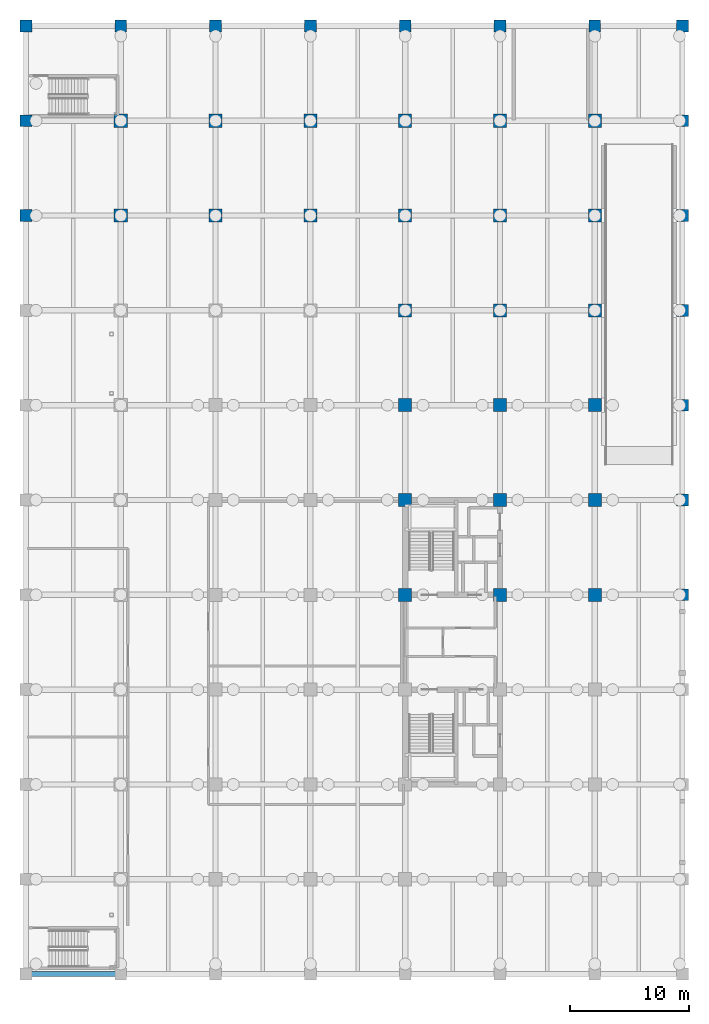
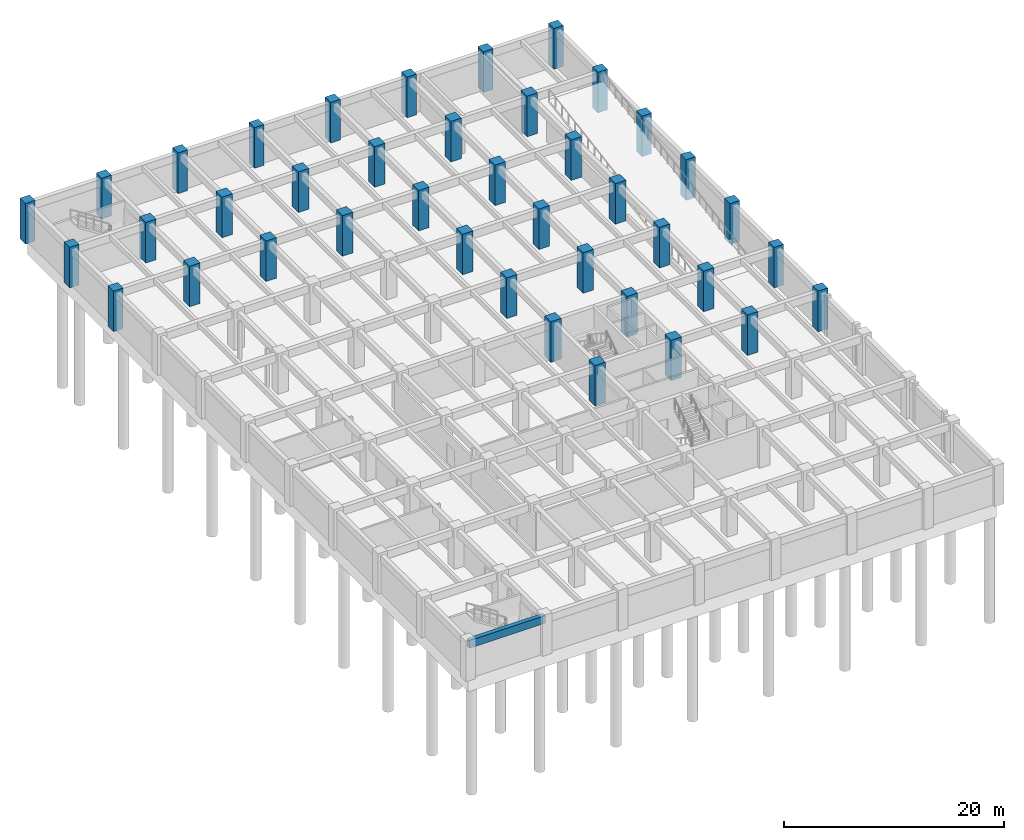
# One storey, part 5 of 15: 40 columns, 1 beam.
"""IFC4 building model written with IfcOpenShell, lengths in metres."""

from ifc_helpers import new_model, si_unit, direction, frame, origin, origin_2d, place, context, subcontext, project, spatial, rectangle, extrude, material, material_profile, profile_set, type_object, element, save


model = new_model("IFC4")

# Units and contexts
model_context = context("Model", 3, precision=1e-05, world=origin(), true_north=direction((0.0, 1.0)))
body_context = subcontext(model_context, "Body", "Model", "MODEL_VIEW")
ifc_project = project(units=[si_unit("LENGTHUNIT", "METRE"), si_unit("AREAUNIT", "SQUARE_METRE"), si_unit("VOLUMEUNIT", "CUBIC_METRE"), si_unit("PLANEANGLEUNIT", "RADIAN"), si_unit("MASSUNIT", "GRAM", prefix="KILO")], contexts=[model_context])

# Site, building, storey
site_placement = place(None, origin())
site = spatial("IfcSite", under=ifc_project, at=site_placement, CompositionType="ELEMENT")
building_placement = place(site_placement, origin())
building = spatial("IfcBuilding", under=site, at=building_placement, Name="Canggui Botanical Conservatory", CompositionType="ELEMENT")
storey_placement = place(building_placement, frame((0.0, 0.0, -9.0)))
storey = spatial("IfcBuildingStorey", under=building, at=storey_placement, Name="B2", CompositionType="ELEMENT", Elevation=-9.0)

# Columns
ifc_material_1 = material(Name="Concrete C50", Category="concrete")
ifc_material_profile_1 = material_profile(ifc_material_1, rectangle(XDim=1.10009765625, YDim=1.10009765625, at=origin_2d()), Name="RC 1100x1100")
ifc_profile_set_1 = profile_set([ifc_material_profile_1], Name="Concrete C50")
column_type_1 = type_object("IfcColumnType", Name="COL-KZ01", PredefinedType="COLUMN", material=ifc_profile_set_1)
for number, where, z_axis, x_axis, name in (
    (1, (130.0, 90.0, 0.0), (0.0, 0.0, 1.0), (1.0, 0.0, 0.0), "Tower RC Column B2 (130,90)"),
    (2, (130.0, 98.0, 0.0), (0.0, 0.0, 1.0), (1.0, 0.0, 0.0), "Tower RC Column B2 (130,98)"),
    (3, (138.0, 90.0, 0.0), (0.0, 0.0, 1.0), (1.0, 0.0, 0.0), "Tower RC Column B2 (138,90)"),
    (4, (138.0, 98.0, 0.0), (0.0, 0.0, 1.0), (1.0, 0.0, 0.0), "Tower RC Column B2 (138,98)"),
    (5, (146.0, 90.0, 0.0), (0.0, 0.0, 1.0), (1.0, 0.0, 0.0), "Tower RC Column B2 (146,90)"),
    (6, (146.0, 98.0, 0.0), (0.0, 0.0, 1.0), (1.0, 0.0, 0.0), "Tower RC Column B2 (146,98)"),
    (7, (154.0, 58.0, 0.0), (0.0, 0.0, 1.0), (1.0, 0.0, 0.0), "Tower RC Column B2 (154,58)"),
    (8, (154.0, 66.0, 0.0), (0.0, 0.0, 1.0), (1.0, 0.0, 0.0), "Tower RC Column B2 (154,66)"),
    (9, (154.0, 74.0, 0.0), (0.0, 0.0, 1.0), (1.0, 0.0, 0.0), "Tower RC Column B2 (154,74)"),
    (10, (154.0, 82.0, 0.0), (0.0, 0.0, 1.0), (1.0, 0.0, 0.0), "Tower RC Column B2 (154,82)"),
    (11, (154.0, 90.0, 0.0), (0.0, 0.0, 1.0), (1.0, 0.0, 0.0), "Tower RC Column B2 (154,90)"),
    (12, (154.0, 98.0, 0.0), (0.0, 0.0, 1.0), (1.0, 0.0, 0.0), "Tower RC Column B2 (154,98)"),
    (13, (162.0, 58.0, 0.0), (0.0, 0.0, 1.0), (1.0, 0.0, 0.0), "Tower RC Column B2 (162,58)"),
    (14, (162.0, 66.0, 0.0), (0.0, 0.0, 1.0), (1.0, 0.0, 0.0), "Tower RC Column B2 (162,66)"),
    (15, (162.0, 74.0, 0.0), (0.0, 0.0, 1.0), (1.0, 0.0, 0.0), "Tower RC Column B2 (162,74)"),
    (16, (162.0, 82.0, 0.0), (0.0, 0.0, 1.0), (1.0, 0.0, 0.0), "Tower RC Column B2 (162,82)"),
    (17, (162.0, 90.0, 0.0), (0.0, 0.0, 1.0), (1.0, 0.0, 0.0), "Tower RC Column B2 (162,90)"),
    (18, (162.0, 98.0, 0.0), (0.0, 0.0, 1.0), (1.0, 0.0, 0.0), "Tower RC Column B2 (162,98)"),
    (19, (170.0, 58.0, 0.0), (0.0, 0.0, 1.0), (1.0, 0.0, 0.0), "Tower RC Column B2 (170,58)"),
    (20, (170.0, 66.0, 0.0), (0.0, 0.0, 1.0), (1.0, 0.0, 0.0), "Tower RC Column B2 (170,66)"),
    (21, (170.0, 74.0, 0.0), (0.0, 0.0, 1.0), (1.0, 0.0, 0.0), "Tower RC Column B2 (170,74)"),
    (22, (170.0, 82.0, 0.0), (0.0, 0.0, 1.0), (1.0, 0.0, 0.0), "Tower RC Column B2 (170,82)"),
    (23, (170.0, 90.0, 0.0), (0.0, 0.0, 1.0), (1.0, 0.0, 0.0), "Tower RC Column B2 (170,90)"),
    (24, (170.0, 98.0, 0.0), (0.0, 0.0, 1.0), (1.0, 0.0, 0.0), "Tower RC Column B2 (170,98)"),
):
    element("IfcColumn", number, at=place(storey_placement, frame(where, z_axis=z_axis, x_axis=x_axis)), inside=storey, type_object=column_type_1, Name=name, PredefinedType="COLUMN", context=body_context, shape_type="SweptSolid", body=[
        extrude(rectangle(XDim=1.10009765625, YDim=1.10009765625, at=origin_2d()), origin(), (0.0, 0.0, 1.0), 4.5),
    ])
ifc_material_profile_2 = material_profile(ifc_material_1, rectangle(XDim=1.0, YDim=1.0, at=origin_2d()), Name="RC 1000x1000")
ifc_profile_set_2 = profile_set([ifc_material_profile_2], Name="Concrete C50")
column_type_2 = type_object("IfcColumnType", Name="COL-KZ03", PredefinedType="COLUMN", material=ifc_profile_set_2)
for number, where, z_axis, x_axis, name in (
    (25, (122.0, 90.0, 0.0), (0.0, 0.0, 1.0), (1.0, 0.0, 0.0), "Tower RC Column B2 (122,90)"),
    (26, (122.0, 98.0, 0.0), (0.0, 0.0, 1.0), (1.0, 0.0, 0.0), "Tower RC Column B2 (122,98)"),
    (27, (122.0, 106.0, 0.0), (0.0, 0.0, 1.0), (1.0, 0.0, 0.0), "Tower RC Column B2 (122,106)"),
    (28, (130.0, 106.0, 0.0), (0.0, 0.0, 1.0), (1.0, 0.0, 0.0), "Tower RC Column B2 (130,106)"),
    (29, (138.0, 106.0, 0.0), (0.0, 0.0, 1.0), (1.0, 0.0, 0.0), "Tower RC Column B2 (138,106)"),
    (30, (146.0, 106.0, 0.0), (0.0, 0.0, 1.0), (1.0, 0.0, 0.0), "Tower RC Column B2 (146,106)"),
    (31, (154.0, 106.0, 0.0), (0.0, 0.0, 1.0), (1.0, 0.0, 0.0), "Tower RC Column B2 (154,106)"),
    (32, (162.0, 106.0, 0.0), (0.0, 0.0, 1.0), (1.0, 0.0, 0.0), "Tower RC Column B2 (162,106)"),
    (33, (170.0, 106.0, 0.0), (0.0, 0.0, 1.0), (1.0, 0.0, 0.0), "Tower RC Column B2 (170,106)"),
    (34, (177.39990234375, 58.0, 0.0), (0.0, 0.0, 1.0), (1.0, 0.0, 0.0), "Tower RC Column B2 (178,58)"),
    (35, (177.39990234375, 66.0, 0.0), (0.0, 0.0, 1.0), (1.0, 0.0, 0.0), "Tower RC Column B2 (178,66)"),
    (36, (177.39990234375, 74.0, 0.0), (0.0, 0.0, 1.0), (1.0, 0.0, 0.0), "Tower RC Column B2 (178,74)"),
    (37, (177.39990234375, 82.0, 0.0), (0.0, 0.0, 1.0), (1.0, 0.0, 0.0), "Tower RC Column B2 (178,82)"),
    (38, (177.39990234375, 90.0, 0.0), (0.0, 0.0, 1.0), (1.0, 0.0, 0.0), "Tower RC Column B2 (178,90)"),
    (39, (177.39990234375, 98.0, 0.0), (0.0, 0.0, 1.0), (1.0, 0.0, 0.0), "Tower RC Column B2 (178,98)"),
    (40, (177.39990234375, 106.0, 0.0), (0.0, 0.0, 1.0), (1.0, 0.0, 0.0), "Tower RC Column B2 (178,106)"),
):
    element("IfcColumn", number, at=place(storey_placement, frame(where, z_axis=z_axis, x_axis=x_axis)), inside=storey, type_object=column_type_2, Name=name, PredefinedType="COLUMN", context=body_context, shape_type="SweptSolid", body=[
        extrude(rectangle(XDim=1.0, YDim=1.0, at=origin_2d()), origin(), (0.0, 0.0, 1.0), 4.5),
    ])

# Beam
ifc_material_2 = material(Name="Concrete C35", Category="concrete")
ifc_material_profile_3 = material_profile(ifc_material_2, rectangle(XDim=0.449951171875, YDim=0.85009765625, at=origin_2d()), Name="RB 450x850")
ifc_profile_set_3 = profile_set([ifc_material_profile_3], Name="Concrete C35")
beam_type = type_object("IfcBeamType", Name="BM-KL05", PredefinedType="BEAM", material=ifc_profile_set_3)
beam_placement = place(storey_placement, frame((122.0, 26.0, 3.794921875), z_axis=(1.0, 0.0, 0.0), x_axis=(0.0, 1.0, 0.0)))
element("IfcBeam", 41, at=beam_placement, inside=storey, type_object=beam_type, Name="Frame Girder B2 Y26-1", PredefinedType="BEAM", context=body_context, shape_type="SweptSolid", body=[
    extrude(rectangle(XDim=0.449951171875, YDim=0.85009765625, at=origin_2d()), origin(), (0.0, 0.0, 1.0), 8.0),
])

save(model, "model.ifc")
